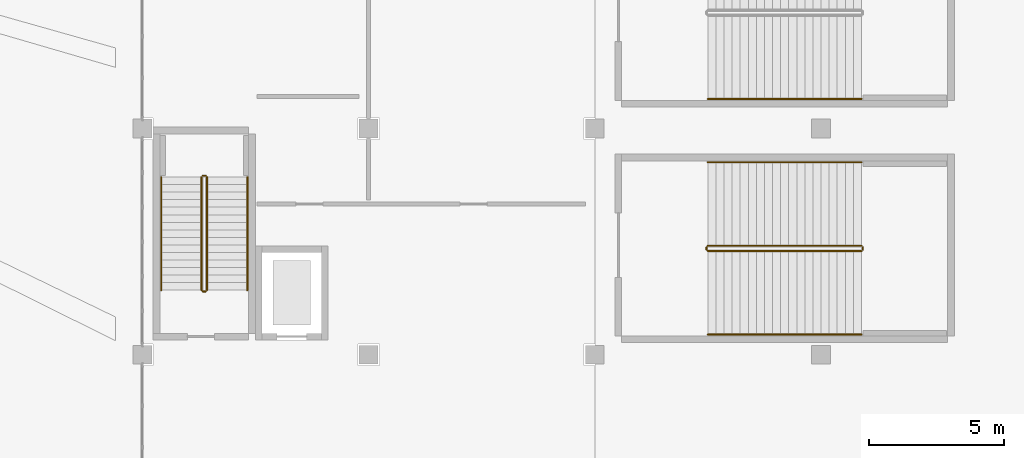
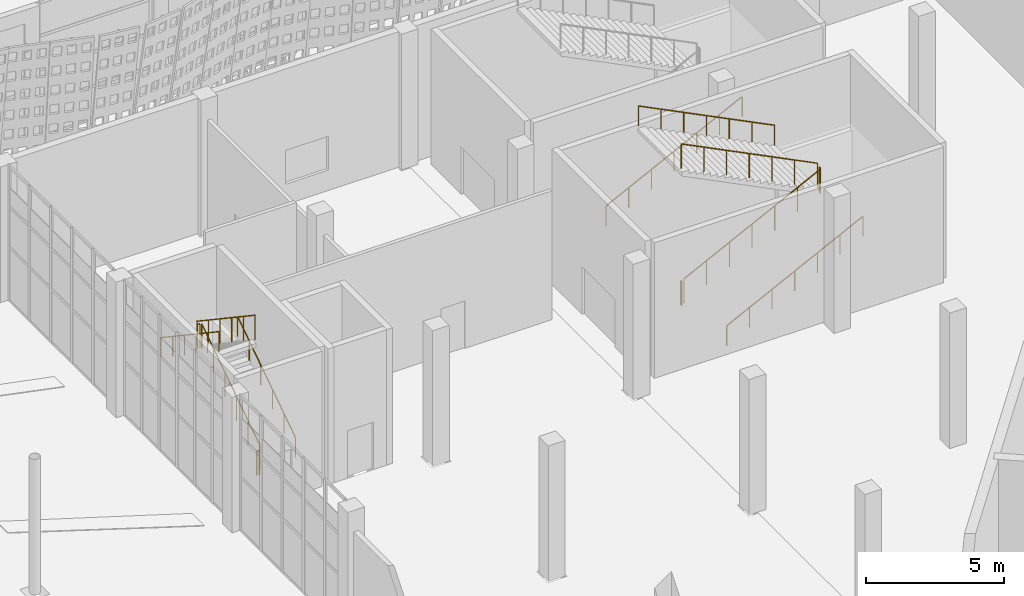
# One storey, part 181 of 210: 13 railings.
"""IFC4 building model written with IfcOpenShell, lengths in metres."""

from ifc_helpers import new_model, si_unit, direction, frame, origin, origin_2d, place, context, subcontext, project, spatial, circle, extrude, material, type_object, element, save


model = new_model("IFC4")

# Units and contexts
model_context = context("Model", 3, precision=1e-05, world=origin(), true_north=direction((0.0, 1.0)))
body_context = subcontext(model_context, "Body", "Model", "MODEL_VIEW")
ifc_project = project(units=[si_unit("LENGTHUNIT", "METRE"), si_unit("AREAUNIT", "SQUARE_METRE"), si_unit("VOLUMEUNIT", "CUBIC_METRE"), si_unit("PLANEANGLEUNIT", "RADIAN"), si_unit("MASSUNIT", "GRAM", prefix="KILO")], contexts=[model_context])

# Site, building, storey
site_placement = place(None, origin())
site = spatial("IfcSite", under=ifc_project, at=site_placement, CompositionType="ELEMENT")
building_placement = place(site_placement, origin())
building = spatial("IfcBuilding", under=site, at=building_placement, Name="Rain Tree Exposition and Congress Centre", CompositionType="ELEMENT")
storey_placement = place(building_placement, origin())
storey = spatial("IfcBuildingStorey", under=building, at=storey_placement, Name="L00", CompositionType="ELEMENT", Elevation=0.0)

# Railings
ifc_material_1 = material(Name="Steel S355J2H", Category="steel")
railing_type_1 = type_object("IfcRailingType", Name="Handrail 900 steel", PredefinedType="HANDRAIL", material=ifc_material_1)
railing_1_placement = place(storey_placement, frame((155.10009765625, 52.800048828125, 0.1875)))
element("IfcRailing", 1, at=railing_1_placement, inside=storey, type_object=railing_type_1, Name="L00 ST-G1 stair handrail 1", PredefinedType="HANDRAIL", context=body_context, shape_type="SweptSolid", body=[
    extrude(circle(Radius=0.02392578125, at=origin_2d()), frame((0.0, 0.0, 0.8759765625), z_axis=(0.0, 0.830904186295, 0.556415522067), x_axis=(-1.0, 0.0, 0.0)), (0.0, 0.0, 1.0), 5.0546875),
    extrude(circle(Radius=0.02099609375, at=origin_2d()), origin(), (0.0, 0.0, 1.0), 0.851806640625),
    extrude(circle(Radius=0.02099609375, at=origin_2d()), frame((0.0, 0.840087890625, 0.5625)), (0.0, 0.0, 1.0), 0.851806640625),
    extrude(circle(Radius=0.02099609375, at=origin_2d()), frame((0.0, 1.679931640625, 1.125)), (0.0, 0.0, 1.0), 0.851806640625),
    extrude(circle(Radius=0.02099609375, at=origin_2d()), frame((0.0, 2.52001953125, 1.6875)), (0.0, 0.0, 1.0), 0.851806640625),
    extrude(circle(Radius=0.02099609375, at=origin_2d()), frame((0.0, 3.35986328125, 2.25)), (0.0, 0.0, 1.0), 0.851806640625),
    extrude(circle(Radius=0.02099609375, at=origin_2d()), frame((0.0, 4.199951171875, 2.8125)), (0.0, 0.0, 1.0), 0.851806640625),
])
railing_2_placement = place(storey_placement, frame((151.89990234375, 57.0, 3.1875)))
element("IfcRailing", 2, at=railing_2_placement, inside=storey, type_object=railing_type_1, Name="L00 ST-G1 stair handrail 2", PredefinedType="HANDRAIL", context=body_context, shape_type="SweptSolid", body=[
    extrude(circle(Radius=0.02392578125, at=origin_2d()), frame((0.0, 0.0, 0.8759765625), z_axis=(0.0, -0.830904186295, 0.556415522067), x_axis=(1.0, 0.0, 0.0)), (0.0, 0.0, 1.0), 5.0546875),
    extrude(circle(Radius=0.02099609375, at=origin_2d()), origin(), (0.0, 0.0, 1.0), 0.851806640625),
    extrude(circle(Radius=0.02099609375, at=origin_2d()), frame((0.0, -0.840087890625, 0.5625)), (0.0, 0.0, 1.0), 0.851806640625),
    extrude(circle(Radius=0.02099609375, at=origin_2d()), frame((0.0, -1.679931640625, 1.125)), (0.0, 0.0, 1.0), 0.851806640625),
    extrude(circle(Radius=0.02099609375, at=origin_2d()), frame((0.0, -2.52001953125, 1.6875)), (0.0, 0.0, 1.0), 0.851806640625),
    extrude(circle(Radius=0.02099609375, at=origin_2d()), frame((0.0, -3.35986328125, 2.25)), (0.0, 0.0, 1.0), 0.851806640625),
    extrude(circle(Radius=0.02099609375, at=origin_2d()), frame((0.0, -4.199951171875, 2.8125)), (0.0, 0.0, 1.0), 0.851806640625),
])
railing_3_placement = place(storey_placement, frame((172.199951171875, 51.14990234375, 0.14990234375)))
element("IfcRailing", 3, at=railing_3_placement, inside=storey, type_object=railing_type_1, Name="L00 ST-G3 stair handrail 1", PredefinedType="HANDRAIL", context=body_context, shape_type="SweptSolid", body=[
    extrude(circle(Radius=0.02392578125, at=origin_2d()), frame((0.0, 0.0, 0.8759765625), z_axis=(0.894419528903, 0.0, 0.447228919365), x_axis=(0.0, 1.0, 0.0)), (0.0, 0.0, 1.0), 6.372802734375),
    extrude(circle(Radius=0.02099609375, at=origin_2d()), origin(), (0.0, 0.0, 1.0), 0.851806640625),
    extrude(circle(Radius=0.02099609375, at=origin_2d()), frame((0.949951171875, 0.0, 0.47509765625)), (0.0, 0.0, 1.0), 0.851806640625),
    extrude(circle(Radius=0.02099609375, at=origin_2d()), frame((1.89990234375, 0.0, 0.949951171875)), (0.0, 0.0, 1.0), 0.851806640625),
    extrude(circle(Radius=0.02099609375, at=origin_2d()), frame((2.85009765625, 0.0, 1.425048828125)), (0.0, 0.0, 1.0), 0.851806640625),
    extrude(circle(Radius=0.02099609375, at=origin_2d()), frame((3.800048828125, 0.0, 1.900146484375)), (0.0, 0.0, 1.0), 0.851806640625),
    extrude(circle(Radius=0.02099609375, at=origin_2d()), frame((4.75, 0.0, 2.375)), (0.0, 0.0, 1.0), 0.851806640625),
    extrude(circle(Radius=0.02099609375, at=origin_2d()), frame((5.699951171875, 0.0, 2.85009765625)), (0.0, 0.0, 1.0), 0.851806640625),
])
railing_4_placement = place(storey_placement, frame((177.89990234375, 57.550048828125, 3.14990234375)))
element("IfcRailing", 4, at=railing_4_placement, inside=storey, type_object=railing_type_1, Name="L00 ST-G3 stair handrail 2", PredefinedType="HANDRAIL", context=body_context, shape_type="SweptSolid", body=[
    extrude(circle(Radius=0.02392578125, at=origin_2d()), frame((0.0, 0.0, 0.8759765625), z_axis=(-0.894419528903, 0.0, 0.447228919365), x_axis=(0.0, -1.0, 0.0)), (0.0, 0.0, 1.0), 6.372802734375),
    extrude(circle(Radius=0.02099609375, at=origin_2d()), origin(), (0.0, 0.0, 1.0), 0.851806640625),
    extrude(circle(Radius=0.02099609375, at=origin_2d()), frame((-0.949951171875, 0.0, 0.47509765625)), (0.0, 0.0, 1.0), 0.851806640625),
    extrude(circle(Radius=0.02099609375, at=origin_2d()), frame((-1.89990234375, 0.0, 0.949951171875)), (0.0, 0.0, 1.0), 0.851806640625),
    extrude(circle(Radius=0.02099609375, at=origin_2d()), frame((-2.85009765625, 0.0, 1.425048828125)), (0.0, 0.0, 1.0), 0.851806640625),
    extrude(circle(Radius=0.02099609375, at=origin_2d()), frame((-3.800048828125, 0.0, 1.900146484375)), (0.0, 0.0, 1.0), 0.851806640625),
    extrude(circle(Radius=0.02099609375, at=origin_2d()), frame((-4.75, 0.0, 2.375)), (0.0, 0.0, 1.0), 0.851806640625),
    extrude(circle(Radius=0.02099609375, at=origin_2d()), frame((-5.699951171875, 0.0, 2.85009765625)), (0.0, 0.0, 1.0), 0.851806640625),
])
railing_5_placement = place(storey_placement, frame((172.199951171875, 59.89990234375, 0.14990234375)))
element("IfcRailing", 5, at=railing_5_placement, inside=storey, type_object=railing_type_1, Name="L00 ST-G4 stair handrail 1", PredefinedType="HANDRAIL", context=body_context, shape_type="SweptSolid", body=[
    extrude(circle(Radius=0.02392578125, at=origin_2d()), frame((0.0, 0.0, 0.8759765625), z_axis=(0.894419528903, 0.0, 0.447228919365), x_axis=(0.0, 1.0, 0.0)), (0.0, 0.0, 1.0), 6.372802734375),
    extrude(circle(Radius=0.02099609375, at=origin_2d()), origin(), (0.0, 0.0, 1.0), 0.851806640625),
    extrude(circle(Radius=0.02099609375, at=origin_2d()), frame((0.949951171875, 0.0, 0.47509765625)), (0.0, 0.0, 1.0), 0.851806640625),
    extrude(circle(Radius=0.02099609375, at=origin_2d()), frame((1.89990234375, 0.0, 0.949951171875)), (0.0, 0.0, 1.0), 0.851806640625),
    extrude(circle(Radius=0.02099609375, at=origin_2d()), frame((2.85009765625, 0.0, 1.425048828125)), (0.0, 0.0, 1.0), 0.851806640625),
    extrude(circle(Radius=0.02099609375, at=origin_2d()), frame((3.800048828125, 0.0, 1.900146484375)), (0.0, 0.0, 1.0), 0.851806640625),
    extrude(circle(Radius=0.02099609375, at=origin_2d()), frame((4.75, 0.0, 2.375)), (0.0, 0.0, 1.0), 0.851806640625),
    extrude(circle(Radius=0.02099609375, at=origin_2d()), frame((5.699951171875, 0.0, 2.85009765625)), (0.0, 0.0, 1.0), 0.851806640625),
])
ifc_material_2 = material(Name="Steel S355J2H", Category="steel")
railing_type_2 = type_object("IfcRailingType", Name="Steel guard 1100", PredefinedType="GUARDRAIL", material=ifc_material_2)
railing_6_placement = place(storey_placement, frame((153.60009765625, 52.800048828125, 0.1875)))
element("IfcRailing", 6, at=railing_6_placement, inside=storey, type_object=railing_type_2, Name="L00 ST-G1 stair guard 1", PredefinedType="GUARDRAIL", context=body_context, shape_type="SweptSolid", body=[
    extrude(circle(Radius=0.02392578125, at=origin_2d()), frame((0.0, 0.0, 1.076171875), z_axis=(0.0, 0.830904186295, 0.556415522067), x_axis=(-1.0, 0.0, 0.0)), (0.0, 0.0, 1.0), 5.0546875),
    extrude(circle(Radius=0.02099609375, at=origin_2d()), origin(), (0.0, 0.0, 1.0), 1.052001953125),
    extrude(circle(Radius=0.02099609375, at=origin_2d()), frame((0.0, 0.840087890625, 0.5625)), (0.0, 0.0, 1.0), 1.052001953125),
    extrude(circle(Radius=0.02099609375, at=origin_2d()), frame((0.0, 1.679931640625, 1.125)), (0.0, 0.0, 1.0), 1.052001953125),
    extrude(circle(Radius=0.02099609375, at=origin_2d()), frame((0.0, 2.52001953125, 1.6875)), (0.0, 0.0, 1.0), 1.052001953125),
    extrude(circle(Radius=0.02099609375, at=origin_2d()), frame((0.0, 3.35986328125, 2.25)), (0.0, 0.0, 1.0), 1.052001953125),
    extrude(circle(Radius=0.02099609375, at=origin_2d()), frame((0.0, 4.199951171875, 2.8125)), (0.0, 0.0, 1.0), 1.052001953125),
])
railing_7_placement = place(storey_placement, frame((153.550048828125, 57.050048828125, 3.0)))
element("IfcRailing", 7, at=railing_7_placement, inside=storey, type_object=railing_type_2, Name="L00 ST-G1 stair guard 2", PredefinedType="GUARDRAIL", context=body_context, shape_type="SweptSolid", body=[
    extrude(circle(Radius=0.02392578125, at=origin_2d()), frame((0.0, 0.0, 1.076171875), z_axis=(-1.0, 0.0, 0.0), x_axis=(0.0, -1.0, 0.0)), (0.0, 0.0, 1.0), 0.10009765625),
    extrude(circle(Radius=0.02099609375, at=origin_2d()), origin(), (0.0, 0.0, 1.0), 1.052001953125),
    extrude(circle(Radius=0.02099609375, at=origin_2d()), frame((-0.10009765625, 0.0, 0.0)), (0.0, 0.0, 1.0), 1.052001953125),
])
railing_8_placement = place(storey_placement, frame((153.39990234375, 57.0, 3.1875)))
element("IfcRailing", 8, at=railing_8_placement, inside=storey, type_object=railing_type_2, Name="L00 ST-G1 stair guard 3", PredefinedType="GUARDRAIL", context=body_context, shape_type="SweptSolid", body=[
    extrude(circle(Radius=0.02392578125, at=origin_2d()), frame((0.0, 0.0, 1.076171875), z_axis=(0.0, -0.830904186295, 0.556415522067), x_axis=(1.0, 0.0, 0.0)), (0.0, 0.0, 1.0), 5.0546875),
    extrude(circle(Radius=0.02099609375, at=origin_2d()), origin(), (0.0, 0.0, 1.0), 1.052001953125),
    extrude(circle(Radius=0.02099609375, at=origin_2d()), frame((0.0, -0.840087890625, 0.5625)), (0.0, 0.0, 1.0), 1.052001953125),
    extrude(circle(Radius=0.02099609375, at=origin_2d()), frame((0.0, -1.679931640625, 1.125)), (0.0, 0.0, 1.0), 1.052001953125),
    extrude(circle(Radius=0.02099609375, at=origin_2d()), frame((0.0, -2.52001953125, 1.6875)), (0.0, 0.0, 1.0), 1.052001953125),
    extrude(circle(Radius=0.02099609375, at=origin_2d()), frame((0.0, -3.35986328125, 2.25)), (0.0, 0.0, 1.0), 1.052001953125),
    extrude(circle(Radius=0.02099609375, at=origin_2d()), frame((0.0, -4.199951171875, 2.8125)), (0.0, 0.0, 1.0), 1.052001953125),
])
railing_9_placement = place(storey_placement, frame((153.550048828125, 52.75, 0.0)))
element("IfcRailing", 9, at=railing_9_placement, inside=storey, type_object=railing_type_2, Name="L00 ST-G1 stair guard 4", PredefinedType="GUARDRAIL", context=body_context, shape_type="SweptSolid", body=[
    extrude(circle(Radius=0.02392578125, at=origin_2d()), frame((0.0, 0.0, 1.076171875), z_axis=(-1.0, 0.0, 0.0), x_axis=(0.0, -1.0, 0.0)), (0.0, 0.0, 1.0), 0.10009765625),
    extrude(circle(Radius=0.02099609375, at=origin_2d()), origin(), (0.0, 0.0, 1.0), 1.052001953125),
    extrude(circle(Radius=0.02099609375, at=origin_2d()), frame((-0.10009765625, 0.0, 0.0)), (0.0, 0.0, 1.0), 1.052001953125),
])
railing_10_placement = place(storey_placement, frame((172.199951171875, 54.25, 0.14990234375)))
element("IfcRailing", 10, at=railing_10_placement, inside=storey, type_object=railing_type_2, Name="L00 ST-G3 stair guard 1", PredefinedType="GUARDRAIL", context=body_context, shape_type="SweptSolid", body=[
    extrude(circle(Radius=0.02392578125, at=origin_2d()), frame((0.0, 0.0, 1.076171875), z_axis=(0.894419528903, 0.0, 0.447228919365), x_axis=(0.0, 1.0, 0.0)), (0.0, 0.0, 1.0), 6.372802734375),
    extrude(circle(Radius=0.02099609375, at=origin_2d()), origin(), (0.0, 0.0, 1.0), 1.052001953125),
    extrude(circle(Radius=0.02099609375, at=origin_2d()), frame((0.949951171875, 0.0, 0.47509765625)), (0.0, 0.0, 1.0), 1.052001953125),
    extrude(circle(Radius=0.02099609375, at=origin_2d()), frame((1.89990234375, 0.0, 0.949951171875)), (0.0, 0.0, 1.0), 1.052001953125),
    extrude(circle(Radius=0.02099609375, at=origin_2d()), frame((2.85009765625, 0.0, 1.425048828125)), (0.0, 0.0, 1.0), 1.052001953125),
    extrude(circle(Radius=0.02099609375, at=origin_2d()), frame((3.800048828125, 0.0, 1.900146484375)), (0.0, 0.0, 1.0), 1.052001953125),
    extrude(circle(Radius=0.02099609375, at=origin_2d()), frame((4.75, 0.0, 2.375)), (0.0, 0.0, 1.0), 1.052001953125),
    extrude(circle(Radius=0.02099609375, at=origin_2d()), frame((5.699951171875, 0.0, 2.85009765625)), (0.0, 0.0, 1.0), 1.052001953125),
])
railing_11_placement = place(storey_placement, frame((177.949951171875, 54.300048828125, 3.0)))
element("IfcRailing", 11, at=railing_11_placement, inside=storey, type_object=railing_type_2, Name="L00 ST-G3 stair guard 2", PredefinedType="GUARDRAIL", context=body_context, shape_type="SweptSolid", body=[
    extrude(circle(Radius=0.02392578125, at=origin_2d()), frame((0.0, 0.0, 1.076171875), z_axis=(0.0, 1.0, 0.0), x_axis=(-1.0, 0.0, 0.0)), (0.0, 0.0, 1.0), 0.099853515625),
    extrude(circle(Radius=0.02099609375, at=origin_2d()), origin(), (0.0, 0.0, 1.0), 1.052001953125),
    extrude(circle(Radius=0.02099609375, at=origin_2d()), frame((0.0, 0.099853515625, 0.0)), (0.0, 0.0, 1.0), 1.052001953125),
])
railing_12_placement = place(storey_placement, frame((177.89990234375, 54.449951171875, 3.14990234375)))
element("IfcRailing", 12, at=railing_12_placement, inside=storey, type_object=railing_type_2, Name="L00 ST-G3 stair guard 3", PredefinedType="GUARDRAIL", context=body_context, shape_type="SweptSolid", body=[
    extrude(circle(Radius=0.02392578125, at=origin_2d()), frame((0.0, 0.0, 1.076171875), z_axis=(-0.894419528903, 0.0, 0.447228919365), x_axis=(0.0, -1.0, 0.0)), (0.0, 0.0, 1.0), 6.372802734375),
    extrude(circle(Radius=0.02099609375, at=origin_2d()), origin(), (0.0, 0.0, 1.0), 1.052001953125),
    extrude(circle(Radius=0.02099609375, at=origin_2d()), frame((-0.949951171875, 0.0, 0.47509765625)), (0.0, 0.0, 1.0), 1.052001953125),
    extrude(circle(Radius=0.02099609375, at=origin_2d()), frame((-1.89990234375, 0.0, 0.949951171875)), (0.0, 0.0, 1.0), 1.052001953125),
    extrude(circle(Radius=0.02099609375, at=origin_2d()), frame((-2.85009765625, 0.0, 1.425048828125)), (0.0, 0.0, 1.0), 1.052001953125),
    extrude(circle(Radius=0.02099609375, at=origin_2d()), frame((-3.800048828125, 0.0, 1.900146484375)), (0.0, 0.0, 1.0), 1.052001953125),
    extrude(circle(Radius=0.02099609375, at=origin_2d()), frame((-4.75, 0.0, 2.375)), (0.0, 0.0, 1.0), 1.052001953125),
    extrude(circle(Radius=0.02099609375, at=origin_2d()), frame((-5.699951171875, 0.0, 2.85009765625)), (0.0, 0.0, 1.0), 1.052001953125),
])
railing_13_placement = place(storey_placement, frame((172.14990234375, 54.300048828125, 0.0)))
element("IfcRailing", 13, at=railing_13_placement, inside=storey, type_object=railing_type_2, Name="L00 ST-G3 stair guard 4", PredefinedType="GUARDRAIL", context=body_context, shape_type="SweptSolid", body=[
    extrude(circle(Radius=0.02392578125, at=origin_2d()), frame((0.0, 0.0, 1.076171875), z_axis=(0.0, 1.0, 0.0), x_axis=(-1.0, 0.0, 0.0)), (0.0, 0.0, 1.0), 0.099853515625),
    extrude(circle(Radius=0.02099609375, at=origin_2d()), origin(), (0.0, 0.0, 1.0), 1.052001953125),
    extrude(circle(Radius=0.02099609375, at=origin_2d()), frame((0.0, 0.099853515625, 0.0)), (0.0, 0.0, 1.0), 1.052001953125),
])

save(model, "model.ifc")
